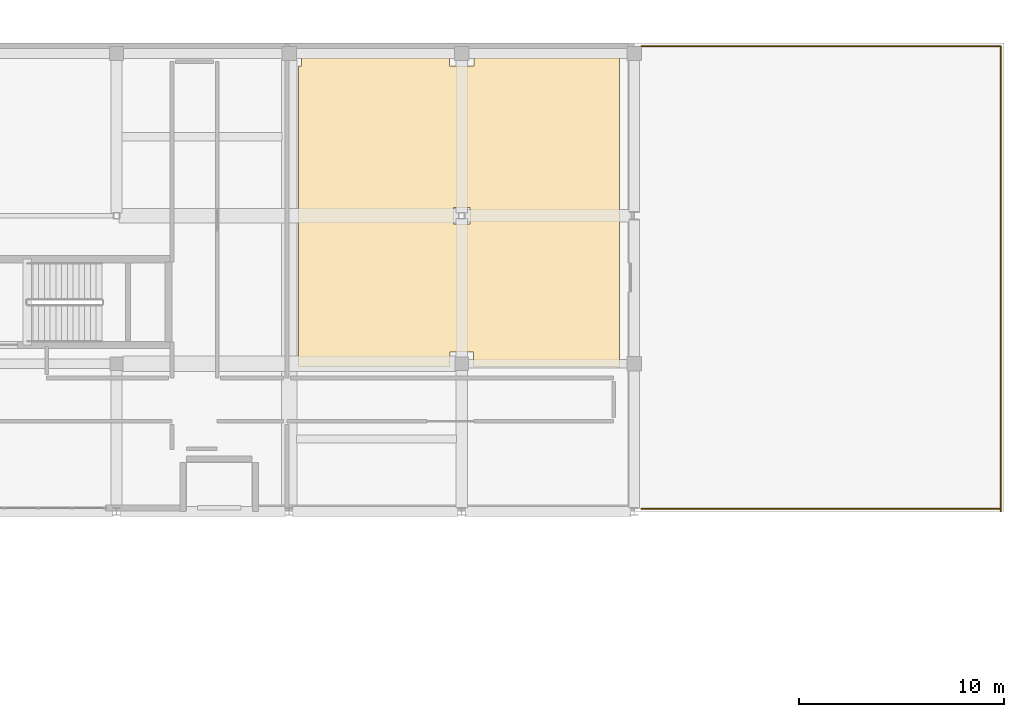
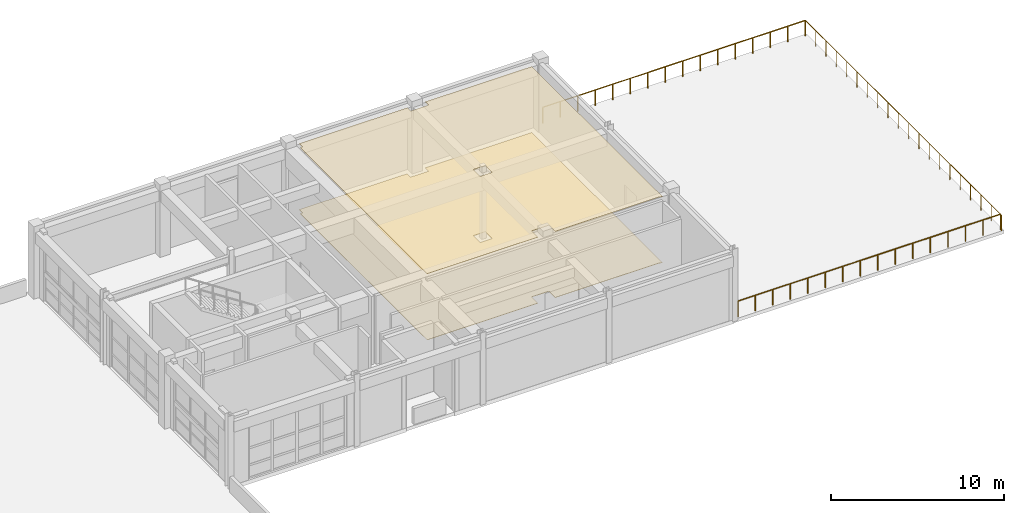
# One storey, part 78 of 78: 3 railings, 2 coverings.
"""IFC4 building model written with IfcOpenShell, lengths in metres."""

from ifc_helpers import new_model, si_unit, direction, frame, origin, origin_2d, place, context, subcontext, project, spatial, polyline, circle, outline, extrude, material, layer, layer_set, type_object, element, save


model = new_model("IFC4")

# Units and contexts
model_context = context("Model", 3, precision=1e-05, world=origin(), true_north=direction((0.0, 1.0)))
body_context = subcontext(model_context, "Body", "Model", "MODEL_VIEW")
ifc_project = project(units=[si_unit("LENGTHUNIT", "METRE"), si_unit("AREAUNIT", "SQUARE_METRE"), si_unit("VOLUMEUNIT", "CUBIC_METRE"), si_unit("PLANEANGLEUNIT", "RADIAN"), si_unit("MASSUNIT", "GRAM", prefix="KILO")], contexts=[model_context])

# Site, building, storey
site_placement = place(None, origin())
site = spatial("IfcSite", under=ifc_project, at=site_placement, CompositionType="ELEMENT")
building_placement = place(site_placement, origin())
building = spatial("IfcBuilding", under=site, at=building_placement, Name="Quendrovan Civic Courthouse", CompositionType="ELEMENT")
storey_placement = place(building_placement, frame((0.0, 0.0, 10.199951171875)))
storey = spatial("IfcBuildingStorey", under=building, at=storey_placement, Name="L03", CompositionType="ELEMENT", Elevation=10.199951171875)

# Coverings
ifc_material_1 = material(Name="Perforated Western Red Cedar and mineral acoustic ceiling")
ifc_layer_1 = layer(ifc_material_1, 0.034912109375, Name="Perforated Western Red Cedar and mineral acoustic ceiling")
ifc_layer_set_1 = layer_set([ifc_layer_1], Name="Perforated Western Red Cedar and mineral acoustic ceiling")
covering_type_1 = type_object("IfcCoveringType", Name="COV-CEIL-ACOUSTIC", PredefinedType="CEILING", material=ifc_layer_set_1)
covering_1_placement = place(storey_placement, frame((0.0, 0.0, 4.64501953125)))
element("IfcCovering", 1, at=covering_1_placement, inside=storey, type_object=covering_type_1, Name="L03 Ceremonial Plenary Courtroom Acoustic Ceiling", PredefinedType="CEILING", context=body_context, shape_type="SweptSolid", body=[
    extrude(outline(polyline([(134.97509765625, 94.64990234375), (134.97509765625, 95.375), (133.824951171875, 95.375), (133.824951171875, 94.64990234375), (126.449951171875, 94.64990234375), (126.449951171875, 109.300048828125), (126.60009765625, 109.300048828125), (126.60009765625, 109.68994140625), (133.800048828125, 109.68994140625), (133.800048828125, 109.300048828125), (135.0, 109.300048828125), (135.0, 109.68994140625), (142.090087890625, 109.68994140625), (142.090087890625, 94.566650390625), (142.059326171875, 94.585205078125), (142.010498046875, 94.608154296875), (141.959716796875, 94.626220703125), (141.9072265625, 94.639404296875), (141.85400390625, 94.6474609375), (141.800048828125, 94.64990234375), (134.97509765625, 94.64990234375)]), holes=[polyline([(134.0, 102.39990234375), (134.0, 101.60009765625), (134.800048828125, 101.60009765625), (134.800048828125, 102.39990234375), (134.0, 102.39990234375)])]), origin(), (0.0, 0.0, 1.0), 0.034912109375),
])
ifc_material_2 = material(Name="Solid oak courtroom parquet flooring")
ifc_layer_2 = layer(ifc_material_2, 0.02490234375, Name="Solid oak courtroom parquet flooring")
ifc_layer_set_2 = layer_set([ifc_layer_2], Name="Solid oak courtroom parquet flooring")
covering_type_2 = type_object("IfcCoveringType", Name="COV-FLOR-TIMBER", PredefinedType="FLOORING", material=ifc_layer_set_2)
covering_2_placement = place(storey_placement, origin())
element("IfcCovering", 2, at=covering_2_placement, inside=storey, type_object=covering_type_2, Name="L03 Ceremonial Plenary Courtroom Finish Flooring", PredefinedType="FLOORING", context=body_context, shape_type="SweptSolid", body=[
    extrude(outline(polyline([(134.97509765625, 94.64990234375), (134.97509765625, 95.375), (133.824951171875, 95.375), (133.824951171875, 94.64990234375), (126.449951171875, 94.64990234375), (126.449951171875, 109.300048828125), (126.60009765625, 109.300048828125), (126.60009765625, 109.68994140625), (133.800048828125, 109.68994140625), (133.800048828125, 109.300048828125), (135.0, 109.300048828125), (135.0, 109.68994140625), (142.090087890625, 109.68994140625), (142.090087890625, 94.566650390625), (142.059326171875, 94.585205078125), (142.010498046875, 94.608154296875), (141.959716796875, 94.626220703125), (141.9072265625, 94.639404296875), (141.85400390625, 94.6474609375), (141.800048828125, 94.64990234375), (134.97509765625, 94.64990234375)]), holes=[polyline([(134.0, 102.39990234375), (134.0, 101.60009765625), (134.800048828125, 101.60009765625), (134.800048828125, 102.39990234375), (134.0, 102.39990234375)])]), origin(), (0.0, 0.0, 1.0), 0.025146484375),
])

# Railings
ifc_material_3 = material(Name="Bronze anodised aluminium", Category="aluminium")
railing_type = type_object("IfcRailingType", Name="RL-EXT-GUARD1100", PredefinedType="GUARDRAIL", material=ifc_material_3)
railing_1_placement = place(storey_placement, frame((160.639892578125, 87.60009765625, 0.0)))
element("IfcRailing", 3, at=railing_1_placement, inside=storey, type_object=railing_type, Name="L03 Terrace Edge Guardrail 001", PredefinedType="GUARDRAIL", context=body_context, shape_type="SweptSolid", body=[
    extrude(circle(Radius=0.02392578125, at=origin_2d()), frame((0.0, 0.0, 1.09619140625), z_axis=(0.0, 1.0, 0.0), x_axis=(-1.0, 0.0, 0.0)), (0.0, 0.0, 1.0), 22.639892578125),
    extrude(circle(Radius=0.02099609375, at=origin_2d()), origin(), (0.0, 0.0, 1.0), 1.072021484375),
    extrude(circle(Radius=0.02099609375, at=origin_2d()), frame((0.0, 1.191650390625, 0.0)), (0.0, 0.0, 1.0), 1.072021484375),
    extrude(circle(Radius=0.02099609375, at=origin_2d()), frame((0.0, 2.383056640625, 0.0)), (0.0, 0.0, 1.0), 1.072021484375),
    extrude(circle(Radius=0.02099609375, at=origin_2d()), frame((0.0, 3.57470703125, 0.0)), (0.0, 0.0, 1.0), 1.072021484375),
    extrude(circle(Radius=0.02099609375, at=origin_2d()), frame((0.0, 4.766357421875, 0.0)), (0.0, 0.0, 1.0), 1.072021484375),
    extrude(circle(Radius=0.02099609375, at=origin_2d()), frame((0.0, 5.957763671875, 0.0)), (0.0, 0.0, 1.0), 1.072021484375),
    extrude(circle(Radius=0.02099609375, at=origin_2d()), frame((0.0, 7.1494140625, 0.0)), (0.0, 0.0, 1.0), 1.072021484375),
    extrude(circle(Radius=0.02099609375, at=origin_2d()), frame((0.0, 8.341064453125, 0.0)), (0.0, 0.0, 1.0), 1.072021484375),
    extrude(circle(Radius=0.02099609375, at=origin_2d()), frame((0.0, 9.532470703125, 0.0)), (0.0, 0.0, 1.0), 1.072021484375),
    extrude(circle(Radius=0.02099609375, at=origin_2d()), frame((0.0, 10.72412109375, 0.0)), (0.0, 0.0, 1.0), 1.072021484375),
    extrude(circle(Radius=0.02099609375, at=origin_2d()), frame((0.0, 11.915771484375, 0.0)), (0.0, 0.0, 1.0), 1.072021484375),
    extrude(circle(Radius=0.02099609375, at=origin_2d()), frame((0.0, 13.107421875, 0.0)), (0.0, 0.0, 1.0), 1.072021484375),
    extrude(circle(Radius=0.02099609375, at=origin_2d()), frame((0.0, 14.298828125, 0.0)), (0.0, 0.0, 1.0), 1.072021484375),
    extrude(circle(Radius=0.02099609375, at=origin_2d()), frame((0.0, 15.490478515625, 0.0)), (0.0, 0.0, 1.0), 1.072021484375),
    extrude(circle(Radius=0.02099609375, at=origin_2d()), frame((0.0, 16.68212890625, 0.0)), (0.0, 0.0, 1.0), 1.072021484375),
    extrude(circle(Radius=0.02099609375, at=origin_2d()), frame((0.0, 17.87353515625, 0.0)), (0.0, 0.0, 1.0), 1.072021484375),
    extrude(circle(Radius=0.02099609375, at=origin_2d()), frame((0.0, 19.065185546875, 0.0)), (0.0, 0.0, 1.0), 1.072021484375),
    extrude(circle(Radius=0.02099609375, at=origin_2d()), frame((0.0, 20.2568359375, 0.0)), (0.0, 0.0, 1.0), 1.072021484375),
    extrude(circle(Radius=0.02099609375, at=origin_2d()), frame((0.0, 21.4482421875, 0.0)), (0.0, 0.0, 1.0), 1.072021484375),
    extrude(circle(Radius=0.02099609375, at=origin_2d()), frame((0.0, 22.639892578125, 0.0)), (0.0, 0.0, 1.0), 1.072021484375),
])
railing_2_placement = place(storey_placement, frame((160.639892578125, 110.239990234375, 0.0)))
element("IfcRailing", 4, at=railing_2_placement, inside=storey, type_object=railing_type, Name="L03 Terrace Edge Guardrail 002", PredefinedType="GUARDRAIL", context=body_context, shape_type="SweptSolid", body=[
    extrude(circle(Radius=0.02392578125, at=origin_2d()), frame((0.0, 0.0, 1.09619140625), z_axis=(-1.0, 0.0, 0.0), x_axis=(0.0, -1.0, 0.0)), (0.0, 0.0, 1.0), 17.489990234375),
    extrude(circle(Radius=0.02099609375, at=origin_2d()), origin(), (0.0, 0.0, 1.0), 1.072021484375),
    extrude(circle(Radius=0.02099609375, at=origin_2d()), frame((-1.166015625, 0.0, 0.0)), (0.0, 0.0, 1.0), 1.072021484375),
    extrude(circle(Radius=0.02099609375, at=origin_2d()), frame((-2.33203125, 0.0, 0.0)), (0.0, 0.0, 1.0), 1.072021484375),
    extrude(circle(Radius=0.02099609375, at=origin_2d()), frame((-3.498046875, 0.0, 0.0)), (0.0, 0.0, 1.0), 1.072021484375),
    extrude(circle(Radius=0.02099609375, at=origin_2d()), frame((-4.6640625, 0.0, 0.0)), (0.0, 0.0, 1.0), 1.072021484375),
    extrude(circle(Radius=0.02099609375, at=origin_2d()), frame((-5.830078125, 0.0, 0.0)), (0.0, 0.0, 1.0), 1.072021484375),
    extrude(circle(Radius=0.02099609375, at=origin_2d()), frame((-6.99609375, 0.0, 0.0)), (0.0, 0.0, 1.0), 1.072021484375),
    extrude(circle(Radius=0.02099609375, at=origin_2d()), frame((-8.162109375, 0.0, 0.0)), (0.0, 0.0, 1.0), 1.072021484375),
    extrude(circle(Radius=0.02099609375, at=origin_2d()), frame((-9.327880859375, 0.0, 0.0)), (0.0, 0.0, 1.0), 1.072021484375),
    extrude(circle(Radius=0.02099609375, at=origin_2d()), frame((-10.493896484375, 0.0, 0.0)), (0.0, 0.0, 1.0), 1.072021484375),
    extrude(circle(Radius=0.02099609375, at=origin_2d()), frame((-11.659912109375, 0.0, 0.0)), (0.0, 0.0, 1.0), 1.072021484375),
    extrude(circle(Radius=0.02099609375, at=origin_2d()), frame((-12.825927734375, 0.0, 0.0)), (0.0, 0.0, 1.0), 1.072021484375),
    extrude(circle(Radius=0.02099609375, at=origin_2d()), frame((-13.991943359375, 0.0, 0.0)), (0.0, 0.0, 1.0), 1.072021484375),
    extrude(circle(Radius=0.02099609375, at=origin_2d()), frame((-15.157958984375, 0.0, 0.0)), (0.0, 0.0, 1.0), 1.072021484375),
    extrude(circle(Radius=0.02099609375, at=origin_2d()), frame((-16.323974609375, 0.0, 0.0)), (0.0, 0.0, 1.0), 1.072021484375),
    extrude(circle(Radius=0.02099609375, at=origin_2d()), frame((-17.489990234375, 0.0, 0.0)), (0.0, 0.0, 1.0), 1.072021484375),
])
railing_3_placement = place(storey_placement, frame((143.14990234375, 87.739990234375, 0.0)))
element("IfcRailing", 5, at=railing_3_placement, inside=storey, type_object=railing_type, Name="L03 Terrace Edge Guardrail 003", PredefinedType="GUARDRAIL", context=body_context, shape_type="SweptSolid", body=[
    extrude(circle(Radius=0.02392578125, at=origin_2d()), frame((0.0, 0.0, 1.09619140625), z_axis=(1.0, 0.0, 0.0), x_axis=(0.0, 1.0, 0.0)), (0.0, 0.0, 1.0), 17.489990234375),
    extrude(circle(Radius=0.02099609375, at=origin_2d()), origin(), (0.0, 0.0, 1.0), 1.072021484375),
    extrude(circle(Radius=0.02099609375, at=origin_2d()), frame((1.166015625, 0.0, 0.0)), (0.0, 0.0, 1.0), 1.072021484375),
    extrude(circle(Radius=0.02099609375, at=origin_2d()), frame((2.33203125, 0.0, 0.0)), (0.0, 0.0, 1.0), 1.072021484375),
    extrude(circle(Radius=0.02099609375, at=origin_2d()), frame((3.498046875, 0.0, 0.0)), (0.0, 0.0, 1.0), 1.072021484375),
    extrude(circle(Radius=0.02099609375, at=origin_2d()), frame((4.6640625, 0.0, 0.0)), (0.0, 0.0, 1.0), 1.072021484375),
    extrude(circle(Radius=0.02099609375, at=origin_2d()), frame((5.830078125, 0.0, 0.0)), (0.0, 0.0, 1.0), 1.072021484375),
    extrude(circle(Radius=0.02099609375, at=origin_2d()), frame((6.99609375, 0.0, 0.0)), (0.0, 0.0, 1.0), 1.072021484375),
    extrude(circle(Radius=0.02099609375, at=origin_2d()), frame((8.162109375, 0.0, 0.0)), (0.0, 0.0, 1.0), 1.072021484375),
    extrude(circle(Radius=0.02099609375, at=origin_2d()), frame((9.327880859375, 0.0, 0.0)), (0.0, 0.0, 1.0), 1.072021484375),
    extrude(circle(Radius=0.02099609375, at=origin_2d()), frame((10.493896484375, 0.0, 0.0)), (0.0, 0.0, 1.0), 1.072021484375),
    extrude(circle(Radius=0.02099609375, at=origin_2d()), frame((11.659912109375, 0.0, 0.0)), (0.0, 0.0, 1.0), 1.072021484375),
    extrude(circle(Radius=0.02099609375, at=origin_2d()), frame((12.825927734375, 0.0, 0.0)), (0.0, 0.0, 1.0), 1.072021484375),
    extrude(circle(Radius=0.02099609375, at=origin_2d()), frame((13.991943359375, 0.0, 0.0)), (0.0, 0.0, 1.0), 1.072021484375),
    extrude(circle(Radius=0.02099609375, at=origin_2d()), frame((15.157958984375, 0.0, 0.0)), (0.0, 0.0, 1.0), 1.072021484375),
    extrude(circle(Radius=0.02099609375, at=origin_2d()), frame((16.323974609375, 0.0, 0.0)), (0.0, 0.0, 1.0), 1.072021484375),
    extrude(circle(Radius=0.02099609375, at=origin_2d()), frame((17.489990234375, 0.0, 0.0)), (0.0, 0.0, 1.0), 1.072021484375),
])

save(model, "model.ifc")
